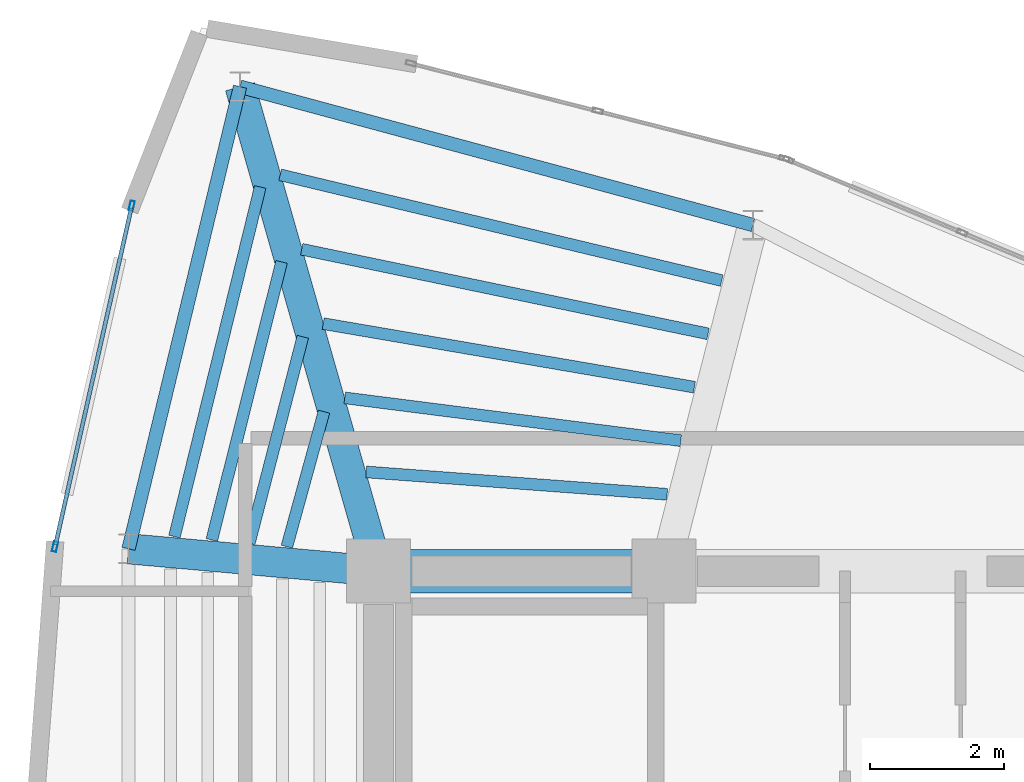
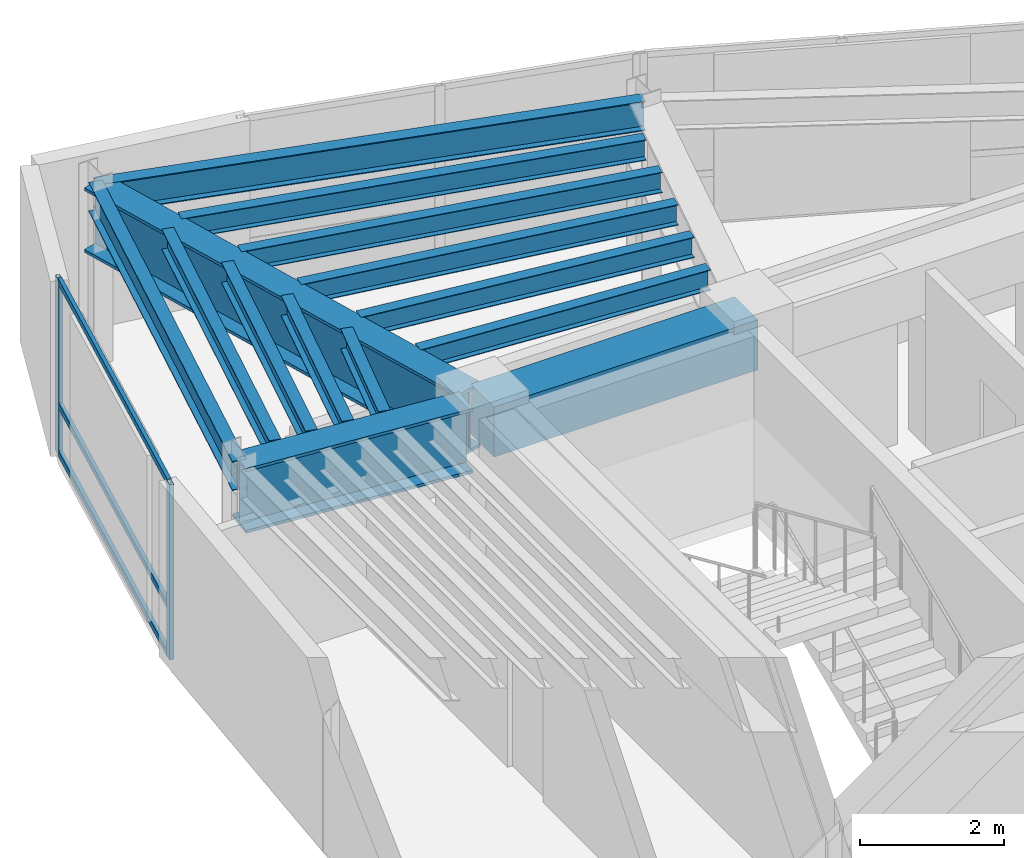
# One storey, part 7 of 14: 14 beams, 5 members, 1 element without a shape of its own.
"""IFC4 building model written with IfcOpenShell, lengths in metres."""

import ifcopenshell
import ifcopenshell.guid

model = None  # the IFC model being written
_history = None  # IfcOwnerHistory: only IFC2X3 demands one
_inside = {}  # id of a spatial element -> (the spatial element, [elements in it])
_under = {}  # id of a project, library or spatial element -> (it, [spatial elements below it])
_declared = {}  # id of a project -> (the project, [libraries it declares])
_typed = {}  # id of a type object -> (the type object, [elements of that type])
_made_of = {}  # id of a material, layer set ... -> (it, [elements and type objects made of it])


def new_model(schema):
    """Start an empty IFC model of exactly this schema.

    Asked for "IFC4X3", IfcOpenShell would pick the latest addendum, in which some entities
    have other attributes; the version numbers below select the first issue.
    IFC2X3 requires an IfcOwnerHistory on every rooted entity: one is made here for all.
    """
    global model, _history
    if schema == "IFC4X3":
        model = ifcopenshell.file(schema_version=(4, 3, 0, 0))
    else:
        model = ifcopenshell.file(schema=schema)
    _inside.clear()
    _under.clear()
    _declared.clear()
    _typed.clear()
    _made_of.clear()
    _history = None
    if model.schema == "IFC2X3":
        org = make("IfcOrganization", Name="unknown")
        user = make(
            "IfcPersonAndOrganization",
            ThePerson=make("IfcPerson", FamilyName="unknown"),
            TheOrganization=org,
        )
        app = make(
            "IfcApplication",
            ApplicationDeveloper=org,
            Version="unknown",
            ApplicationFullName="unknown",
            ApplicationIdentifier="unknown",
        )
        _history = make(
            "IfcOwnerHistory",
            OwningUser=user,
            OwningApplication=app,
            ChangeAction="ADDED",
            CreationDate=0,
        )
    return model


def make(cls, **values):
    """One entity of the class cls with the attributes given. An attribute that is None is left unset."""
    return model.create_entity(
        cls, **{name: value for name, value in values.items() if value is not None}
    )


def rooted(cls, **values):
    """An entity with a GlobalId (a new one), such as an element, a storey or a relation."""
    return make(cls, GlobalId=ifcopenshell.guid.new(), OwnerHistory=_history, **values)


def si_unit(unit_type, name, prefix=None):
    """IfcSIUnit, for example si_unit("LENGTHUNIT", "METRE", prefix="MILLI")."""
    return make("IfcSIUnit", UnitType=unit_type, Prefix=prefix, Name=name)


def assignment(units):
    """IfcUnitAssignment: the units of a project."""
    return None if units is None else make("IfcUnitAssignment", Units=units)


def point(xyz):
    """IfcCartesianPoint."""
    return None if xyz is None else make("IfcCartesianPoint", Coordinates=xyz)


def direction(xyz):
    """IfcDirection."""
    return None if xyz is None else make("IfcDirection", DirectionRatios=xyz)


def frame(location, z_axis=None, x_axis=None):
    """IfcAxis2Placement3D, a coordinate frame: its origin and axes. An axis left out is left unset."""
    return make(
        "IfcAxis2Placement3D",
        Location=point(location),
        Axis=direction(z_axis),
        RefDirection=direction(x_axis),
    )


def frame_2d(location, x_axis=None):
    """IfcAxis2Placement2D, a coordinate frame in the plane: its origin and x axis."""
    return make(
        "IfcAxis2Placement2D", Location=point(location), RefDirection=direction(x_axis)
    )


def origin():
    """The frame at (0, 0, 0) with its axes left unset."""
    return frame((0.0, 0.0, 0.0))


def origin_2d():
    """The frame at (0, 0) in the plane with its x axis left unset."""
    return frame_2d((0.0, 0.0))


def place(relative_to, where):
    """IfcLocalPlacement: puts the frame where relative to a parent placement (None: the world)."""
    return make(
        "IfcLocalPlacement", PlacementRelTo=relative_to, RelativePlacement=where
    )


def context(
    kind, dimensions, precision=None, world=None, true_north=None, identifier=None
):
    """IfcGeometricRepresentationContext, for example the 3D "Model" context."""
    return make(
        "IfcGeometricRepresentationContext",
        ContextIdentifier=identifier,
        ContextType=kind,
        CoordinateSpaceDimension=dimensions,
        Precision=precision,
        WorldCoordinateSystem=world,
        TrueNorth=true_north,
    )


def subcontext(parent, identifier, kind, view, scale=None):
    """IfcGeometricRepresentationSubContext, for example "Body" below "Model"."""
    return make(
        "IfcGeometricRepresentationSubContext",
        ContextIdentifier=identifier,
        ContextType=kind,
        ParentContext=parent,
        TargetScale=scale,
        TargetView=view,
    )


def project(units=None, contexts=None):
    """IfcProject with its units and contexts."""
    return rooted(
        "IfcProject",
        Name="project",
        RepresentationContexts=contexts,
        UnitsInContext=assignment(units),
    )


def spatial(cls, under=None, at=None, **own):
    """A site, building, storey or space (cls), placed at a placement, below another one or the project."""
    s = rooted(cls, ObjectPlacement=at, **own)
    if under is not None:
        _under.setdefault(under.id(), (under, []))[1].append(s)
    return s


def profile(cls, at=None, kind="AREA", **sizes):
    """A parametric profile (cls). Its sizes go by their IFC names, for example OverallWidth=200.0."""
    return make(cls, ProfileType=kind, Position=at, **sizes)


def rectangle(**sizes):
    """IfcRectangleProfileDef."""
    return profile("IfcRectangleProfileDef", **sizes)


def hollow_rectangle(**sizes):
    """IfcRectangleHollowProfileDef."""
    return profile("IfcRectangleHollowProfileDef", **sizes)


def i_section(**sizes):
    """IfcIShapeProfileDef."""
    return profile("IfcIShapeProfileDef", **sizes)


def extrude(swept, where, along, depth):
    """IfcExtrudedAreaSolid: the profile swept, set in the frame where, extruded along a direction by depth."""
    return make(
        "IfcExtrudedAreaSolid",
        SweptArea=swept,
        Position=where,
        ExtrudedDirection=direction(along),
        Depth=depth,
    )


def shape(context_of_items, identifier, shape_type, items):
    """IfcShapeRepresentation: the items that make up one representation, for example the "Body"."""
    return make(
        "IfcShapeRepresentation",
        ContextOfItems=context_of_items,
        RepresentationIdentifier=identifier,
        RepresentationType=shape_type,
        Items=items,
    )


def material(Name=None, Category=None):
    """IfcMaterial."""
    return make("IfcMaterial", Name=Name, Category=Category)


def layer(
    of_material, thickness, ventilated=None, Name=None, Category=None, Priority=None
):
    """IfcMaterialLayer: one layer of a wall or slab, of a material (None: an air gap)."""
    return make(
        "IfcMaterialLayer",
        Material=of_material,
        LayerThickness=thickness,
        IsVentilated=ventilated,
        Name=Name,
        Category=Category,
        Priority=Priority,
    )


def layer_set(layers, Name=None):
    """IfcMaterialLayerSet."""
    return make("IfcMaterialLayerSet", MaterialLayers=layers, LayerSetName=Name)


def material_profile(
    of_material, cross_section, Name=None, Category=None, Priority=None
):
    """IfcMaterialProfile: a cross section and its material."""
    return make(
        "IfcMaterialProfile",
        Name=Name,
        Material=of_material,
        Profile=cross_section,
        Priority=Priority,
        Category=Category,
    )


def profile_set(profiles, Name=None, composite=None):
    """IfcMaterialProfileSet."""
    return make(
        "IfcMaterialProfileSet",
        Name=Name,
        MaterialProfiles=profiles,
        CompositeProfile=composite,
    )


def made_of(thing, what):
    """Note that an element or type object is made of a material, layer set ...; save() writes the relation."""
    if what is not None:
        _made_of.setdefault(what.id(), (what, []))[1].append(thing)
    return thing


def type_object(cls, material=None, **own):
    """A type object (cls), such as IfcWallType, which elements share."""
    return made_of(rooted(cls, **own), material)


def element(
    cls,
    number,
    at=None,
    inside=None,
    cuts=None,
    type_object=None,
    material=None,
    context=None,
    identifier="Body",
    shape_type=None,
    held_by="IfcProductDefinitionShape",
    body=None,
    shapes=None,
    **own,
):
    """One element of the class cls, such as IfcWall. Its Tag is "e" and its number.

    at: its placement. inside: the storey or other place that contains it. cuts: it is an
    opening in that element (IfcRelVoidsElement). A single representation is given by context,
    identifier, shape_type and body (its items); several are given by shapes. held_by: the class
    of the entity that holds the representations. save() writes the other relations.
    """
    e = rooted(cls, Tag="e%d" % number, ObjectPlacement=at, **own)
    if body is not None:
        shapes = [shape(context, identifier, shape_type, body)]
    if shapes is not None:
        e.Representation = make(held_by, Representations=shapes)
    if inside is not None:
        _inside.setdefault(inside.id(), (inside, []))[1].append(e)
    if cuts is not None:
        rooted(
            "IfcRelVoidsElement", RelatingBuildingElement=cuts, RelatedOpeningElement=e
        )
    if type_object is not None:
        _typed.setdefault(type_object.id(), (type_object, []))[1].append(e)
    return made_of(e, material)


def aggregate(whole, parts):
    """IfcRelAggregates: a whole, such as a stair, and the parts it consists of."""
    return rooted("IfcRelAggregates", RelatingObject=whole, RelatedObjects=parts)


def save(model, path):
    """Write the relations noted so far, then the file.

    IfcRelAggregates (storeys below a building ...), IfcRelContainedInSpatialStructure (elements
    in a storey), IfcRelDefinesByType, IfcRelAssociatesMaterial and IfcRelDeclares: one each for
    every whole, place, type object, material and project.
    """
    for whole, parts in _under.values():
        aggregate(whole, parts)
    for where, things in _inside.values():
        rooted(
            "IfcRelContainedInSpatialStructure",
            RelatedElements=things,
            RelatingStructure=where,
        )
    for kind, things in _typed.values():
        rooted("IfcRelDefinesByType", RelatedObjects=things, RelatingType=kind)
    for what, things in _made_of.values():
        rooted("IfcRelAssociatesMaterial", RelatedObjects=things, RelatingMaterial=what)
    for by, libraries in _declared.values():
        rooted("IfcRelDeclares", RelatingContext=by, RelatedDefinitions=libraries)
    model.write(path)


model = new_model("IFC4")

# Units and contexts
model_context = context("Model", 3, precision=1e-05, world=origin(), true_north=direction((0.0, 1.0)))
body_context = subcontext(model_context, "Body", "Model", "MODEL_VIEW")
ifc_project = project(units=[si_unit("LENGTHUNIT", "METRE"), si_unit("AREAUNIT", "SQUARE_METRE"), si_unit("VOLUMEUNIT", "CUBIC_METRE"), si_unit("PLANEANGLEUNIT", "RADIAN"), si_unit("MASSUNIT", "GRAM", prefix="KILO")], contexts=[model_context])

# Site, building, storey
site_placement = place(None, origin())
site = spatial("IfcSite", under=ifc_project, at=site_placement, CompositionType="ELEMENT")
building_placement = place(site_placement, origin())
building = spatial("IfcBuilding", under=site, at=building_placement, Name="Menara Vayukalpa", CompositionType="ELEMENT")
storey_placement = place(building_placement, frame((0.0, 0.0, 312.02001953125)))
storey = spatial("IfcBuildingStorey", under=building, at=storey_placement, Name="L80", CompositionType="ELEMENT", Elevation=312.02001953125)

# Beams
ifc_material_1 = material(Name="Concrete C60/75", Category="concrete")
ifc_material_profile_1 = material_profile(ifc_material_1, rectangle(XDim=0.64990234375, YDim=0.85009765625, at=origin_2d()), Name="RC 650x850")
ifc_profile_set_1 = profile_set([ifc_material_profile_1], Name="Concrete C60/75")
beam_type_1 = type_object("IfcBeamType", Name="BM-CB1", PredefinedType="BEAM", material=ifc_profile_set_1)
beam_1_placement = place(storey_placement, frame((17.800048828125, 26.800048828125, 2.554931640625), z_axis=(1.0, 0.0, 0.0), x_axis=(0.0, 1.0, 0.0)))
element("IfcBeam", 1, at=beam_1_placement, inside=storey, type_object=beam_type_1, Name="L80 Core Tie Beam CBR4", PredefinedType="BEAM", context=body_context, shape_type="SweptSolid", body=[
    extrude(rectangle(XDim=0.64990234375, YDim=0.85009765625, at=origin_2d()), origin(), (0.0, 0.0, 1.0), 4.25),
])
ifc_material_2 = material(Name="Steel S460", Category="steel")
ifc_material_profile_2 = material_profile(ifc_material_2, i_section(OverallWidth=0.449951171875, OverallDepth=1.10009765625, WebThickness=0.02490234375, FlangeThickness=0.050048828125, at=origin_2d()), Name="WG 1100x450x25x50")
ifc_profile_set_2 = profile_set([ifc_material_profile_2], Name="Steel S460")
beam_type_2 = type_object("IfcBeamType", Name="BM-MTG1", PredefinedType="BEAM", material=ifc_profile_set_2)
beam_2_placement = place(storey_placement, frame((17.731201171875, 27.040283203125, 2.429931640625), z_axis=(-0.274721127897, 0.961523947641, 0.0), x_axis=(-0.961523947641, -0.274721127897, 0.0)))
element("IfcBeam", 2, at=beam_2_placement, inside=storey, type_object=beam_type_2, Name="L80 Primary Radial Girder RG04", PredefinedType="BEAM", context=body_context, shape_type="SweptSolid", body=[
    extrude(i_section(OverallWidth=0.449951171875, OverallDepth=1.10009765625, WebThickness=0.02490234375, FlangeThickness=0.050048828125, at=origin_2d()), origin(), (0.0, 0.0, 1.0), 7.246337890625),
])
beam_3_placement = place(storey_placement, frame((17.551025390625, 26.822265625, 2.429931640625), z_axis=(-0.996018615253, 0.089145488221, 0.0), x_axis=(-0.089145488221, -0.996018615253, 0.0)))
element("IfcBeam", 3, at=beam_3_placement, inside=storey, type_object=beam_type_2, Name="L80 Primary Radial Girder RG05", PredefinedType="BEAM", context=body_context, shape_type="SweptSolid", body=[
    extrude(i_section(OverallWidth=0.449951171875, OverallDepth=1.10009765625, WebThickness=0.02490234375, FlangeThickness=0.050048828125, at=origin_2d()), origin(), (0.0, 0.0, 1.0), 3.483642578125),
])
ifc_material_3 = material(Name="Steel S355", Category="steel")
ifc_material_profile_3 = material_profile(ifc_material_3, i_section(OverallWidth=0.175048828125, OverallDepth=0.35009765625, WebThickness=0.007080078125, FlangeThickness=0.010986328125, at=origin_2d()), Name="WF 350x175x7x11")
ifc_profile_set_3 = profile_set([ifc_material_profile_3], Name="Steel S355")
beam_type_3 = type_object("IfcBeamType", Name="BM-SJ3", PredefinedType="JOIST", material=ifc_profile_set_3)
beam_4_placement = place(storey_placement, frame((22.09423828125, 27.943603515625, 2.804931640625), z_axis=(-0.997249175421, 0.074122075804, 0.0), x_axis=(-0.074122075804, -0.997249175421, 0.0)))
element("IfcBeam", 4, at=beam_4_placement, inside=storey, type_object=beam_type_3, Name="L80 Secondary Floor Joist SJ03-1", PredefinedType="JOIST", context=body_context, shape_type="SweptSolid", body=[
    extrude(i_section(OverallWidth=0.175048828125, OverallDepth=0.35009765625, WebThickness=0.007080078125, FlangeThickness=0.010986328125, at=origin_2d()), origin(), (0.0, 0.0, 1.0), 4.489501953125),
])
beam_5_placement = place(storey_placement, frame((22.297119140625, 28.74169921875, 2.804931640625), z_axis=(-0.991987539287, 0.126335750682, 0.0), x_axis=(-0.126335750682, -0.991987539287, 0.0)))
element("IfcBeam", 5, at=beam_5_placement, inside=storey, type_object=beam_type_3, Name="L80 Secondary Floor Joist SJ03-2", PredefinedType="JOIST", context=body_context, shape_type="SweptSolid", body=[
    extrude(i_section(OverallWidth=0.175048828125, OverallDepth=0.35009765625, WebThickness=0.007080078125, FlangeThickness=0.010986328125, at=origin_2d()), origin(), (0.0, 0.0, 1.0), 5.039794921875),
])
beam_6_placement = place(storey_placement, frame((22.5, 29.537109375, 2.804931640625), z_axis=(-0.985657685594, 0.168757005274, 0.0), x_axis=(-0.168757005274, -0.985657685594, 0.0)))
element("IfcBeam", 6, at=beam_6_placement, inside=storey, type_object=beam_type_3, Name="L80 Secondary Floor Joist SJ03-3", PredefinedType="JOIST", context=body_context, shape_type="SweptSolid", body=[
    extrude(i_section(OverallWidth=0.175048828125, OverallDepth=0.35009765625, WebThickness=0.007080078125, FlangeThickness=0.010986328125, at=origin_2d()), origin(), (0.0, 0.0, 1.0), 5.60302734375),
])
beam_7_placement = place(storey_placement, frame((22.702880859375, 30.330810546875, 2.804931640625), z_axis=(-0.979027428924, 0.203728479637, 0.0), x_axis=(-0.203728479637, -0.979027428924, 0.0)))
element("IfcBeam", 7, at=beam_7_placement, inside=storey, type_object=beam_type_3, Name="L80 Secondary Floor Joist SJ03-4", PredefinedType="JOIST", context=body_context, shape_type="SweptSolid", body=[
    extrude(i_section(OverallWidth=0.175048828125, OverallDepth=0.35009765625, WebThickness=0.007080078125, FlangeThickness=0.010986328125, at=origin_2d()), origin(), (0.0, 0.0, 1.0), 6.175048828125),
])
beam_8_placement = place(storey_placement, frame((22.906005859375, 31.123291015625, 2.804931640625), z_axis=(-0.972497430752, 0.232913604541, 0.0), x_axis=(-0.232913604541, -0.972497430752, 0.0)))
element("IfcBeam", 8, at=beam_8_placement, inside=storey, type_object=beam_type_3, Name="L80 Secondary Floor Joist SJ03-5", PredefinedType="JOIST", context=body_context, shape_type="SweptSolid", body=[
    extrude(i_section(OverallWidth=0.175048828125, OverallDepth=0.35009765625, WebThickness=0.007080078125, FlangeThickness=0.010986328125, at=origin_2d()), origin(), (0.0, 0.0, 1.0), 6.754638671875),
])
beam_9_placement = place(storey_placement, frame((16.989501953125, 29.173095703125, 2.804931640625), z_axis=(-0.265485960503, -0.964114725941, 0.0), x_axis=(0.964114725941, -0.265485960503, 0.0)))
element("IfcBeam", 9, at=beam_9_placement, inside=storey, type_object=beam_type_3, Name="L80 Secondary Floor Joist SJ04-2", PredefinedType="JOIST", context=body_context, shape_type="SweptSolid", body=[
    extrude(i_section(OverallWidth=0.175048828125, OverallDepth=0.35009765625, WebThickness=0.007080078125, FlangeThickness=0.010986328125, at=origin_2d()), origin(), (0.0, 0.0, 1.0), 2.083740234375),
])
beam_10_placement = place(storey_placement, frame((16.67431640625, 30.286865234375, 2.804931640625), z_axis=(-0.250996862559, -0.967987900227, 0.0), x_axis=(0.967987900227, -0.250996862559, 0.0)))
element("IfcBeam", 10, at=beam_10_placement, inside=storey, type_object=beam_type_3, Name="L80 Secondary Floor Joist SJ04-3", PredefinedType="JOIST", context=body_context, shape_type="SweptSolid", body=[
    extrude(i_section(OverallWidth=0.175048828125, OverallDepth=0.35009765625, WebThickness=0.007080078125, FlangeThickness=0.010986328125, at=origin_2d()), origin(), (0.0, 0.0, 1.0), 3.173828125),
])
beam_11_placement = place(storey_placement, frame((16.35791015625, 31.401123046875, 2.804931640625), z_axis=(-0.243209126808, -0.969973876265, 0.0), x_axis=(0.969973876265, -0.243209126808, 0.0)))
element("IfcBeam", 11, at=beam_11_placement, inside=storey, type_object=beam_type_3, Name="L80 Secondary Floor Joist SJ04-4", PredefinedType="JOIST", context=body_context, shape_type="SweptSolid", body=[
    extrude(i_section(OverallWidth=0.175048828125, OverallDepth=0.35009765625, WebThickness=0.007080078125, FlangeThickness=0.010986328125, at=origin_2d()), origin(), (0.0, 0.0, 1.0), 4.26416015625),
])
beam_12_placement = place(storey_placement, frame((16.04052734375, 32.515625, 2.804931640625), z_axis=(-0.238306723875, -0.971189942985, 0.0), x_axis=(0.971189942985, -0.238306723875, 0.0)))
element("IfcBeam", 12, at=beam_12_placement, inside=storey, type_object=beam_type_3, Name="L80 Secondary Floor Joist SJ04-5", PredefinedType="JOIST", context=body_context, shape_type="SweptSolid", body=[
    extrude(i_section(OverallWidth=0.175048828125, OverallDepth=0.35009765625, WebThickness=0.007080078125, FlangeThickness=0.010986328125, at=origin_2d()), origin(), (0.0, 0.0, 1.0), 5.35498046875),
])
ifc_material_4 = material(Name="Steel S355", Category="steel")
ifc_material_profile_4 = material_profile(ifc_material_4, i_section(OverallWidth=0.199951171875, OverallDepth=0.5, WebThickness=0.010009765625, FlangeThickness=0.01611328125, at=origin_2d()), Name="WF 500x200x10x16")
ifc_profile_set_4 = profile_set([ifc_material_profile_4], Name="Steel S355")
beam_type_4 = type_object("IfcBeamType", Name="BM-SP3", PredefinedType="SPANDREL", material=ifc_profile_set_4)
beam_13_placement = place(storey_placement, frame((23.37060546875, 31.949462890625, 2.72998046875), z_axis=(-0.965485889412, 0.260455365361, 0.0), x_axis=(-0.260455365361, -0.965485889412, 0.0)))
element("IfcBeam", 13, at=beam_13_placement, inside=storey, type_object=beam_type_4, Name="L80 Perimeter Spandrel Beam SP03", PredefinedType="SPANDREL", context=body_context, shape_type="SweptSolid", body=[
    extrude(i_section(OverallWidth=0.199951171875, OverallDepth=0.5, WebThickness=0.010009765625, FlangeThickness=0.01611328125, at=origin_2d()), origin(), (0.0, 0.0, 1.0), 7.90283203125),
])
beam_14_placement = place(storey_placement, frame((15.740478515625, 34.0078125, 2.72998046875), z_axis=(-0.234600039411, -0.97209198202, 0.0), x_axis=(0.97209198202, -0.234600039411, 0.0)))
element("IfcBeam", 14, at=beam_14_placement, inside=storey, type_object=beam_type_4, Name="L80 Perimeter Spandrel Beam SP04", PredefinedType="SPANDREL", context=body_context, shape_type="SweptSolid", body=[
    extrude(i_section(OverallWidth=0.199951171875, OverallDepth=0.5, WebThickness=0.010009765625, FlangeThickness=0.01611328125, at=origin_2d()), origin(), (0.0, 0.0, 1.0), 7.072265625),
])

# Curtain wall, members
ifc_material_5 = material(Name="Anodised Terracotta Aluminium Alloy 6063-T6", Category="masonry")
ifc_layer = layer(ifc_material_5, 0.14990234375)
ifc_layer_set = layer_set([ifc_layer], Name="Anodised Terracotta Aluminium Alloy 6063-T6")
curtain_wall_type = type_object("IfcCurtainWallType", Name="CW-CW7", PredefinedType="USERDEFINED", material=ifc_layer_set)
curtain_wall_placement = place(storey_placement, origin())
curtain_wall = element("IfcCurtainWall", 15, at=curtain_wall_placement, inside=storey, type_object=curtain_wall_type, Name="L80 Crown Drum Screened Curtain Wall CW7 09", ObjectType="UNITISED", PredefinedType="USERDEFINED")
ifc_material_6 = material(Name="Anodised Terracotta Aluminium Alloy 6063-T6", Category="masonry")
ifc_material_profile_5 = material_profile(ifc_material_6, hollow_rectangle(XDim=0.06494140625, YDim=0.14990234375, WallThickness=0.00341796875, at=origin_2d()), Name="ALU 65x150x3.5")
ifc_profile_set_5 = profile_set([ifc_material_profile_5], Name="Anodised Terracotta Aluminium Alloy 6063-T6")
member_type_1 = type_object("IfcMemberType", Name="CWM-CW7", PredefinedType="MULLION", material=ifc_profile_set_5)
member_1_placement = place(storey_placement, frame((14.129150390625, 32.23388671875, 0.0), z_axis=(0.0, 0.0, 1.0), x_axis=(0.975608941973, -0.219515813421, 0.0)))
member_1 = element("IfcMember", 16, at=member_1_placement, type_object=member_type_1, Name="CW7 mullion 1", PredefinedType="MULLION", context=body_context, shape_type="SweptSolid", body=[
    extrude(hollow_rectangle(XDim=0.06494140625, YDim=0.14990234375, WallThickness=0.00341796875, at=origin_2d()), origin(), (0.0, 0.0, 1.0), 2.97998046875),
])
member_2_placement = place(storey_placement, frame((12.988525390625, 27.16455078125, 0.0), z_axis=(0.0, 0.0, 1.0), x_axis=(0.975608941973, -0.219515813421, 0.0)))
member_2 = element("IfcMember", 17, at=member_2_placement, type_object=member_type_1, Name="CW7 mullion 2", PredefinedType="MULLION", context=body_context, shape_type="SweptSolid", body=[
    extrude(hollow_rectangle(XDim=0.06494140625, YDim=0.14990234375, WallThickness=0.00341796875, at=origin_2d()), origin(), (0.0, 0.0, 1.0), 2.97998046875),
])
ifc_material_7 = material(Name="Anodised Terracotta Aluminium Alloy 6063-T6", Category="masonry")
ifc_material_profile_6 = material_profile(ifc_material_7, hollow_rectangle(XDim=0.06005859375, YDim=0.10498046875, WallThickness=0.0029296875, at=origin_2d()), Name="ALU 60x105x3")
ifc_profile_set_6 = profile_set([ifc_material_profile_6], Name="Anodised Terracotta Aluminium Alloy 6063-T6")
member_type_2 = type_object("IfcMemberType", Name="CWT-CW7", PredefinedType="USERDEFINED", material=ifc_profile_set_6)
member_3_placement = place(storey_placement, frame((14.1220703125, 32.2021484375, 0.030029296875), z_axis=(-0.219539368084, -0.975603641784, 0.0), x_axis=(0.975603641784, -0.219539368084, 0.0)))
member_3 = element("IfcMember", 18, at=member_3_placement, type_object=member_type_2, Name="CW7 transom 1.1", ObjectType="TRANSOM", PredefinedType="USERDEFINED", context=body_context, shape_type="SweptSolid", body=[
    extrude(hollow_rectangle(XDim=0.06005859375, YDim=0.10498046875, WallThickness=0.0029296875, at=origin_2d()), origin(), (0.0, 0.0, 1.0), 5.131103515625),
])
member_4_placement = place(storey_placement, frame((14.1220703125, 32.2021484375, 0.85009765625), z_axis=(-0.219539368084, -0.975603641784, 0.0), x_axis=(0.975603641784, -0.219539368084, 0.0)))
member_4 = element("IfcMember", 19, at=member_4_placement, type_object=member_type_2, Name="CW7 transom 1.2", ObjectType="TRANSOM", PredefinedType="USERDEFINED", context=body_context, shape_type="SweptSolid", body=[
    extrude(hollow_rectangle(XDim=0.06005859375, YDim=0.10498046875, WallThickness=0.0029296875, at=origin_2d()), origin(), (0.0, 0.0, 1.0), 5.131103515625),
])
member_5_placement = place(storey_placement, frame((14.1220703125, 32.2021484375, 2.949951171875), z_axis=(-0.219539368084, -0.975603641784, 0.0), x_axis=(0.975603641784, -0.219539368084, 0.0)))
member_5 = element("IfcMember", 20, at=member_5_placement, type_object=member_type_2, Name="CW7 transom 1.3", ObjectType="TRANSOM", PredefinedType="USERDEFINED", context=body_context, shape_type="SweptSolid", body=[
    extrude(hollow_rectangle(XDim=0.06005859375, YDim=0.10498046875, WallThickness=0.0029296875, at=origin_2d()), origin(), (0.0, 0.0, 1.0), 5.131103515625),
])
aggregate(curtain_wall, [member_1, member_2, member_3, member_4, member_5])

save(model, "model.ifc")
